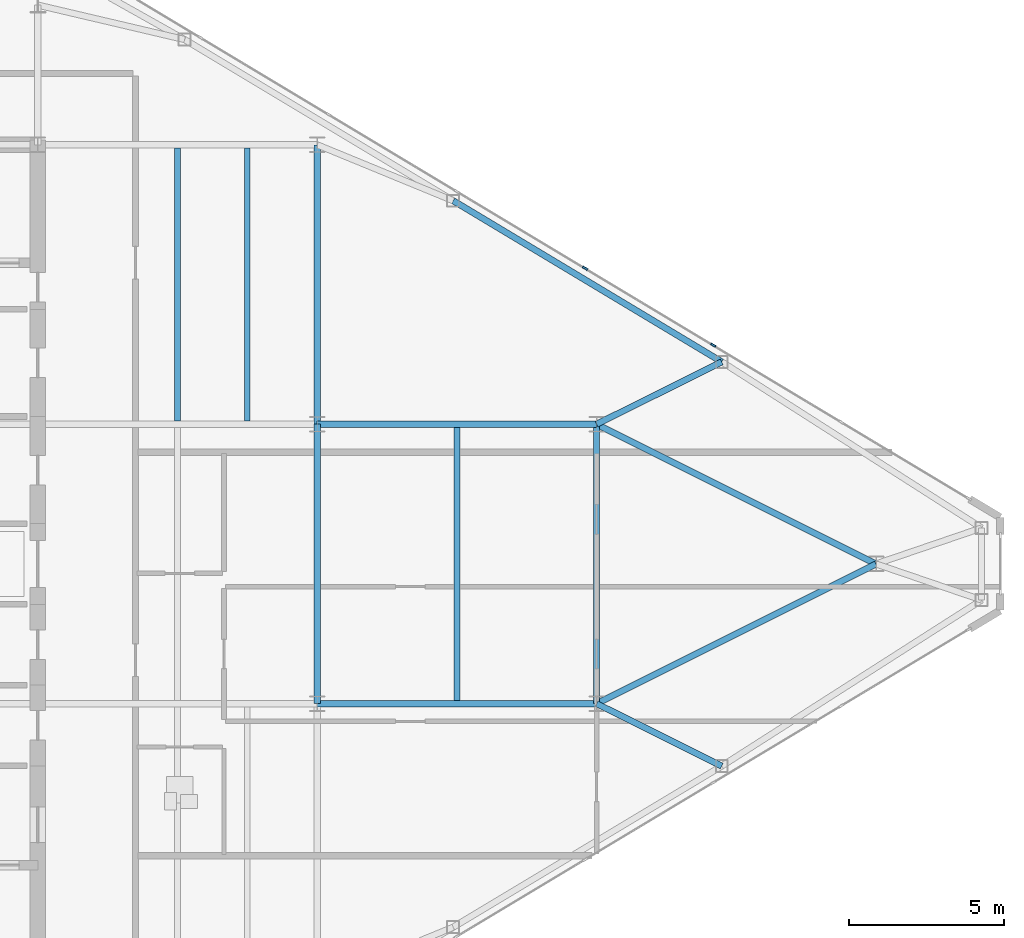
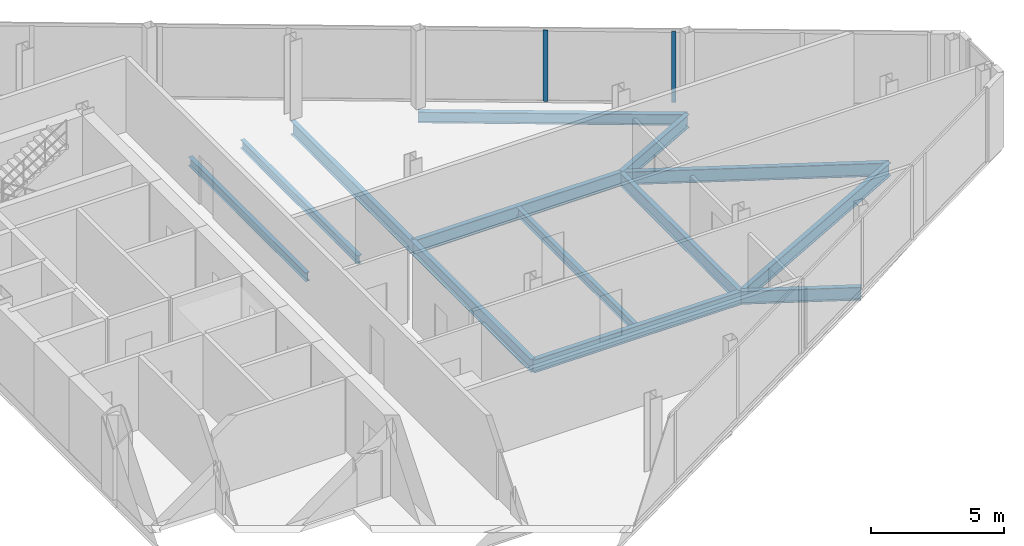
# One storey, part 14 of 25: 13 beams, 2 members, 1 element without a shape of its own.
"""IFC4 building model written with IfcOpenShell, lengths in metres."""

from ifc_helpers import new_model, si_unit, direction, frame, origin, origin_2d, place, context, subcontext, project, spatial, rectangle, i_section, extrude, source, transform, mapped, material, layer, layer_set, material_profile, profile_set, type_object, type_shapes, element, aggregate, save


model = new_model("IFC4")

# Units and contexts
model_context = context("Model", 3, precision=1e-05, world=origin(), true_north=direction((0.0, 1.0)))
body_context = subcontext(model_context, "Body", "Model", "MODEL_VIEW")
ifc_project = project(units=[si_unit("LENGTHUNIT", "METRE"), si_unit("AREAUNIT", "SQUARE_METRE"), si_unit("VOLUMEUNIT", "CUBIC_METRE"), si_unit("PLANEANGLEUNIT", "RADIAN"), si_unit("MASSUNIT", "GRAM", prefix="KILO")], contexts=[model_context])

# Site, building, storey
site_placement = place(None, origin())
site = spatial("IfcSite", under=ifc_project, at=site_placement, CompositionType="ELEMENT")
building_placement = place(site_placement, origin())
building = spatial("IfcBuilding", under=site, at=building_placement, Name="Seokmaru Belvedere", CompositionType="ELEMENT")
storey_placement = place(building_placement, frame((0.0, 0.0, 210.300048828125)))
storey = spatial("IfcBuildingStorey", under=building, at=storey_placement, Name="L56", CompositionType="ELEMENT", Elevation=210.300048828125)

# Beams
ifc_material_1 = material(Name="Steel SM355 (355 MPa)", Category="steel")
ifc_material_profile_1 = material_profile(ifc_material_1, i_section(OverallWidth=0.199951171875, OverallDepth=0.60009765625, WebThickness=0.010986328125, FlangeThickness=0.01708984375, at=origin_2d()), Name="H-600x200x11x17")
ifc_profile_set_1 = profile_set([ifc_material_profile_1], Name="Steel SM355 (355 MPa)")
beam_type_1 = type_object("IfcBeamType", Name="Primary Floor Girder H-600", PredefinedType="BEAM", material=ifc_profile_set_1)
shared_shape_1 = source(origin(), body_context, "Body", "SweptSolid", [
    extrude(i_section(OverallWidth=0.199951171875, OverallDepth=0.60009765625, WebThickness=0.010986328125, FlangeThickness=0.01708984375, at=origin_2d()), origin(), (0.0, 0.0, 1.0), 9.0),
])
for number, where, z_axis, x_axis, name in (
    (1, (45.5, -4.5, -0.52001953125), (0.0, 1.0, 0.0), (-1.0, 0.0, 0.0), "L56 E Interior Grid Girder 2"),
    (2, (45.5, 4.5, -0.52001953125), (0.0, 1.0, 0.0), (-1.0, 0.0, 0.0), "L56 E Interior Grid Girder 3"),
    (3, (45.5, -4.5, -0.52001953125), (1.0, 0.0, 0.0), (0.0, 1.0, 0.0), "L56 E Outer Wing Girder 1"),
    (4, (45.5, 4.5, -0.52001953125), (1.0, 0.0, 0.0), (0.0, 1.0, 0.0), "L56 E Outer Wing Girder 2"),
    (5, (54.5, -4.5, -0.52001953125), (0.0, 1.0, 0.0), (-1.0, 0.0, 0.0), "L56 E Apex Frame Girder"),
):
    element("IfcBeam", number, at=place(storey_placement, frame(where, z_axis=z_axis, x_axis=x_axis)), inside=storey, type_object=beam_type_1, Name=name, PredefinedType="BEAM", context=body_context, shape_type="MappedRepresentation", body=[
        mapped(shared_shape_1, transform((0.0, 0.0, 0.0), scale=1.0)),
    ])
shared_shape_2 = source(origin(), body_context, "Body", "SweptSolid", [
    extrude(i_section(OverallWidth=0.199951171875, OverallDepth=0.60009765625, WebThickness=0.010986328125, FlangeThickness=0.01708984375, at=origin_2d()), origin(), (0.0, 0.0, 1.0), 10.062255859375),
])
for number, where, z_axis, x_axis, name in (
    (6, (54.5, -4.5, -0.52001953125), (0.894427191, 0.4472135955, 0.0), (-0.4472135955, 0.894427191, 0.0), "L56 E Apex Converging Girder 1"),
    (7, (54.5, 4.5, -0.52001953125), (0.894427191, -0.4472135955, 0.0), (0.4472135955, 0.894427191, 0.0), "L56 E Apex Converging Girder 2"),
):
    element("IfcBeam", number, at=place(storey_placement, frame(where, z_axis=z_axis, x_axis=x_axis)), inside=storey, type_object=beam_type_1, Name=name, PredefinedType="BEAM", context=body_context, shape_type="MappedRepresentation", body=[
        mapped(shared_shape_2, transform((0.0, 0.0, 0.0), scale=1.0)),
    ])
ifc_material_profile_2 = material_profile(ifc_material_1, i_section(OverallWidth=0.18505859375, OverallDepth=0.389892578125, WebThickness=0.008056640625, FlangeThickness=0.011962890625, at=origin_2d()), Name="H-390x185x8x12")
ifc_profile_set_2 = profile_set([ifc_material_profile_2], Name="Steel SM355 (355 MPa)")
beam_type_2 = type_object("IfcBeamType", Name="Secondary Floor Joist H-350", PredefinedType="JOIST", material=ifc_profile_set_2)
shared_shape_3 = source(origin(), body_context, "Body", "SweptSolid", [
    extrude(i_section(OverallWidth=0.18505859375, OverallDepth=0.389892578125, WebThickness=0.008056640625, FlangeThickness=0.011962890625, at=origin_2d()), origin(), (0.0, 0.0, 1.0), 8.7900390625),
])
type_shapes(beam_type_2, [shared_shape_3])
for number, where, z_axis, x_axis, name in (
    (8, (43.25, 4.60498046875, -0.4150390625), (0.0, 1.0, 0.0), (-1.0, 0.0, 0.0), "L56 E Wing Inner Secondary Joist 2"),
    (9, (41.0, 4.60498046875, -0.4150390625), (0.0, 1.0, 0.0), (-1.0, 0.0, 0.0), "L56 E Secondary Floor Joist 3"),
    (10, (50.0, -4.39501953125, -0.4150390625), (0.0, 1.0, 0.0), (-1.0, 0.0, 0.0), "L56 E Outer Bay Secondary Joist"),
):
    element("IfcBeam", number, at=place(storey_placement, frame(where, z_axis=z_axis, x_axis=x_axis)), inside=storey, type_object=beam_type_2, Name=name, PredefinedType="JOIST", context=body_context, shape_type="MappedRepresentation", body=[
        mapped(shared_shape_3, transform((0.0, 0.0, 0.0), scale=1.0)),
    ])
ifc_material_profile_3 = material_profile(ifc_material_1, i_section(OverallWidth=0.199951171875, OverallDepth=0.5, WebThickness=0.010009765625, FlangeThickness=0.01611328125, at=origin_2d()), Name="H-500x200x10x16")
ifc_profile_set_3 = profile_set([ifc_material_profile_3], Name="Steel SM355 (355 MPa)")
beam_type_3 = type_object("IfcBeamType", Name="Perimeter Spandrel Beam H-500", PredefinedType="SPANDREL", material=ifc_profile_set_3)
shared_shape_4 = source(origin(), body_context, "Body", "SweptSolid", [
    extrude(i_section(OverallWidth=0.199951171875, OverallDepth=0.5, WebThickness=0.010009765625, FlangeThickness=0.01611328125, at=origin_2d()), origin(), (0.0, 0.0, 1.0), 10.087646484375),
])
type_shapes(beam_type_3, [shared_shape_4])
beam_placement = place(storey_placement, frame((49.8798828125, 11.698974609375, -0.469970703125), z_axis=(0.857488654804, -0.514502873542, 0.0), x_axis=(0.514502873542, 0.857488654804, 0.0)))
element("IfcBeam", 11, at=beam_placement, inside=storey, type_object=beam_type_3, Name="L56 E Faceted Flank Spandrel N-3", PredefinedType="SPANDREL", context=body_context, shape_type="MappedRepresentation", body=[
    mapped(shared_shape_4, transform((0.0, 0.0, 0.0), scale=1.0)),
])
shared_shape_5 = source(origin(), body_context, "Body", "SweptSolid", [
    extrude(i_section(OverallWidth=0.199951171875, OverallDepth=0.60009765625, WebThickness=0.010986328125, FlangeThickness=0.01708984375, at=origin_2d()), origin(), (0.0, 0.0, 1.0), 4.5029296875),
])
type_shapes(beam_type_1, [shared_shape_1, shared_shape_2, shared_shape_5])
for number, where, z_axis, x_axis, name in (
    (12, (58.530029296875, -6.5087890625, -0.52001953125), (-0.894979532585, 0.446107202648, 0.0), (-0.446107202648, -0.894979532585, 0.0), "L56 E Flank Radial Floor Girder S-3"),
    (13, (58.530029296875, 6.5087890625, -0.52001953125), (-0.894979532585, -0.446107202648, 0.0), (0.446107202648, -0.894979532585, 0.0), "L56 E Flank Radial Floor Girder N-3"),
):
    element("IfcBeam", number, at=place(storey_placement, frame(where, z_axis=z_axis, x_axis=x_axis)), inside=storey, type_object=beam_type_1, Name=name, PredefinedType="BEAM", context=body_context, shape_type="MappedRepresentation", body=[
        mapped(shared_shape_5, transform((0.0, 0.0, 0.0), scale=1.0)),
    ])

# Curtain wall, members
ifc_material_2 = material(Name="Bronze Triple Insulating Glass", Category="glass")
ifc_layer = layer(ifc_material_2, 0.179931640625)
ifc_layer_set = layer_set([ifc_layer], Name="Bronze Triple Insulating Glass")
curtain_wall_type = type_object("IfcCurtainWallType", Name="High-Rise Wind-Corner Curtain Wall System CW-5", PredefinedType="NOTDEFINED", material=ifc_layer_set)
curtain_wall_placement = place(storey_placement, origin())
curtain_wall = element("IfcCurtainWall", 14, at=curtain_wall_placement, inside=storey, type_object=curtain_wall_type, Name="L56 Curtain Wall EF3", PredefinedType="NOTDEFINED")
ifc_material_3 = material(Name="Anodised Bronze Aluminium", Category="aluminium")
ifc_material_profile_4 = material_profile(ifc_material_3, rectangle(XDim=0.06494140625, YDim=0.179931640625, at=origin_2d()), Name="CW-M-65x180")
ifc_profile_set_4 = profile_set([ifc_material_profile_4], Name="Anodised Bronze Aluminium")
member_type = type_object("IfcMemberType", Name="Bronze Unitised Mullion 65x180", PredefinedType="MULLION", material=ifc_profile_set_4)
shared_shape_6 = source(origin(), body_context, "Body", "SweptSolid", [
    extrude(rectangle(XDim=0.06494140625, YDim=0.179931640625, at=origin_2d()), origin(), (0.0, 0.0, 1.0), 3.25),
])
type_shapes(member_type, [shared_shape_6])
member_1_placement = place(storey_placement, frame((58.257080078125, 7.0458984375, 0.06494140625), z_axis=(0.0, 0.0, 1.0), x_axis=(-0.514494909364, -0.85749343335, 0.0)))
member_1 = element("IfcMember", 15, at=member_1_placement, type_object=member_type, Name="CW:L56:EF3 Mullion 3", PredefinedType="MULLION", context=body_context, shape_type="MappedRepresentation", body=[
    mapped(shared_shape_6, transform((0.0, 0.0, 0.0), scale=1.0)),
])
member_2_placement = place(storey_placement, frame((54.12841796875, 9.52294921875, 0.06494140625), z_axis=(0.0, 0.0, 1.0), x_axis=(-0.514494909364, -0.85749343335, 0.0)))
member_2 = element("IfcMember", 16, at=member_2_placement, type_object=member_type, Name="CW:L56:EF3 Mullion 4", PredefinedType="MULLION", context=body_context, shape_type="MappedRepresentation", body=[
    mapped(shared_shape_6, transform((0.0, 0.0, 0.0), scale=1.0)),
])
aggregate(curtain_wall, [member_1, member_2])

save(model, "model.ifc")
